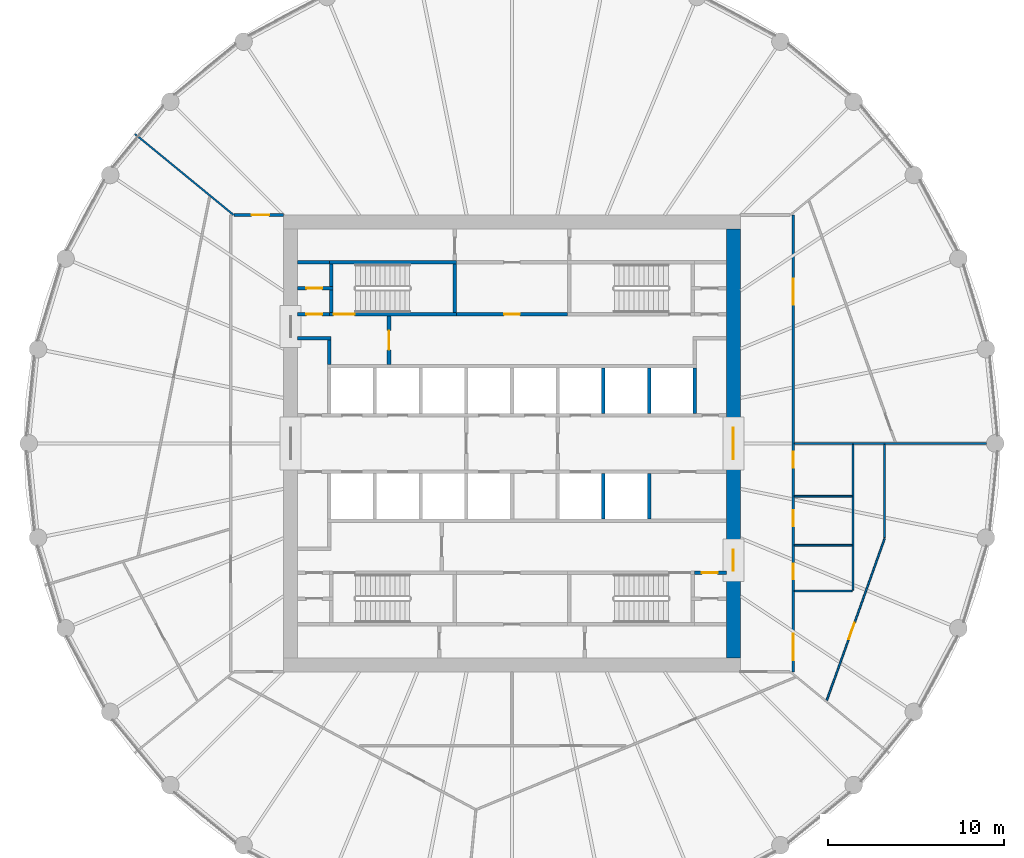
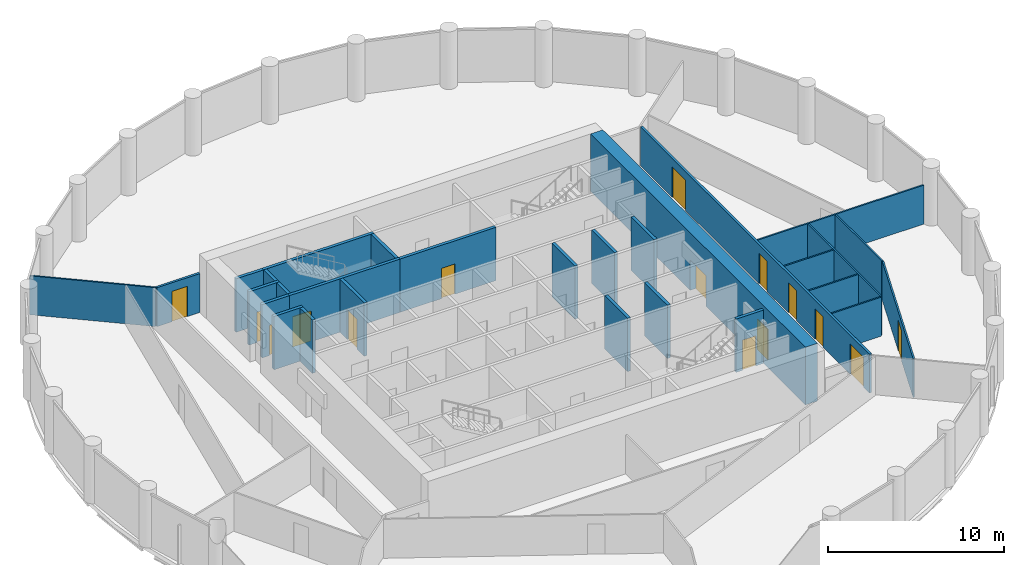
# One storey, part 6 of 8: 29 walls, 15 doors, 15 openings.
"""IFC4 building model written with IfcOpenShell, lengths in metres."""

from ifc_helpers import new_model, si_unit, direction, frame, frame_2d, origin, place, context, subcontext, project, spatial, polyline, rectangle, outline, extrude, material, layer, layer_set, type_object, element, fill, save


model = new_model("IFC4")

# Units and contexts
model_context = context("Model", 3, precision=1e-05, world=origin(), true_north=direction((0.0, 1.0)))
body_context = subcontext(model_context, "Body", "Model", "MODEL_VIEW")
ifc_project = project(units=[si_unit("LENGTHUNIT", "METRE"), si_unit("AREAUNIT", "SQUARE_METRE"), si_unit("VOLUMEUNIT", "CUBIC_METRE"), si_unit("PLANEANGLEUNIT", "RADIAN"), si_unit("MASSUNIT", "GRAM", prefix="KILO")], contexts=[model_context])

# Site, building, storey
site_placement = place(None, origin())
site = spatial("IfcSite", under=ifc_project, at=site_placement, CompositionType="ELEMENT")
building_placement = place(site_placement, origin())
building = spatial("IfcBuilding", under=site, at=building_placement, Name="Corvane Civic Tower", CompositionType="ELEMENT")
storey_placement = place(building_placement, frame((0.0, 0.0, 209.5)))
storey = spatial("IfcBuildingStorey", under=building, at=storey_placement, Name="L49", CompositionType="ELEMENT", Elevation=209.5)

# Wall, openings, doors
ifc_material_1 = material(Name="Concrete C50/60", Category="concrete")
ifc_layer_1 = layer(ifc_material_1, 0.800048828125)
ifc_layer_set_1 = layer_set([ifc_layer_1], Name="Concrete C50/60")
wall_type_1 = type_object("IfcWallType", Name="CORE WALL 800 C50/60", PredefinedType="SHEAR", material=ifc_layer_set_1)
wall_1_placement = place(storey_placement, frame((12.60009765625, -12.199951171875, 0.0), z_axis=(0.0, 0.0, 1.0), x_axis=(0.0, 1.0, 0.0)))
wall_1 = element("IfcWall", 1, at=wall_1_placement, inside=storey, type_object=wall_type_1, Name="W-L49-core-E", PredefinedType="SHEAR", context=body_context, shape_type="SweptSolid", body=[
    extrude(rectangle(XDim=24.39990234375, YDim=0.800048828125, at=frame_2d((12.199951171875, 0.0))), origin(), (0.0, 0.0, 1.0), 4.0),
])
opening_1_placement = place(wall_1_placement, frame((11.300048828125, 0.0, 0.0)))
opening_1 = element("IfcOpeningElement", 2, at=opening_1_placement, cuts=wall_1, Name="Opening L49.C31", PredefinedType="OPENING", context=body_context, shape_type="SweptSolid", body=[
    extrude(rectangle(XDim=1.800048828125, YDim=2.10009765625, at=frame_2d((0.89990234375, 1.050048828125))), frame((0.0, 0.409912109375, 0.0), z_axis=(0.0, -1.0, 0.0), x_axis=(1.0, 0.0, 0.0)), (0.0, 0.0, 1.0), 0.820068359375),
])
opening_2_placement = place(wall_1_placement, frame((4.949951171875, 0.0, 0.0)))
opening_2 = element("IfcOpeningElement", 3, at=opening_2_placement, cuts=wall_1, Name="Opening L49.C33", PredefinedType="OPENING", context=body_context, shape_type="SweptSolid", body=[
    extrude(rectangle(XDim=1.199951171875, YDim=2.10009765625, at=frame_2d((0.60009765625, 1.050048828125))), frame((0.0, 0.409912109375, 0.0), z_axis=(0.0, -1.0, 0.0), x_axis=(1.0, 0.0, 0.0)), (0.0, 0.0, 1.0), 0.820068359375),
])
ifc_material_2 = material(Name="Steel fire door leaf", Category="steel")
door_type_1 = type_object("IfcDoorType", Name="CR-DOOR-CORE-1800", OperationType="DOUBLE_DOOR_SINGLE_SWING", PredefinedType="DOOR", material=ifc_material_2)
door_1_placement = place(opening_1_placement, origin())
door_1 = element("IfcDoor", 4, at=door_1_placement, inside=storey, type_object=door_type_1, Name="L49 door", OperationType="DOUBLE_DOOR_SINGLE_SWING", OverallHeight=2.10009765625, OverallWidth=1.800048828125, PredefinedType="DOOR", context=body_context, shape_type="SweptSolid", body=[
    extrude(rectangle(XDim=1.800048828125, YDim=2.10009765625, at=frame_2d((0.89990234375, 1.050048828125))), frame((0.0, 0.02490234375, 0.0), z_axis=(0.0, -1.0, 0.0), x_axis=(1.0, 0.0, 0.0)), (0.0, 0.0, 1.0), 0.050048828125),
])
fill(opening_1, door_1)
door_2_placement = place(opening_2_placement, origin())
door_2 = element("IfcDoor", 5, at=door_2_placement, inside=storey, type_object=door_type_1, Name="L49 door", OperationType="DOUBLE_DOOR_SINGLE_SWING", OverallHeight=2.10009765625, OverallWidth=1.199951171875, PredefinedType="DOOR", context=body_context, shape_type="SweptSolid", body=[
    extrude(rectangle(XDim=1.199951171875, YDim=2.10009765625, at=frame_2d((0.60009765625, 1.050048828125))), frame((0.0, 0.02490234375, 0.0), z_axis=(0.0, -1.0, 0.0), x_axis=(1.0, 0.0, 0.0)), (0.0, 0.0, 1.0), 0.050048828125),
])
fill(opening_2, door_2)

# Wall, opening, door
ifc_material_3 = material(Name="Concrete C30/37", Category="concrete")
ifc_layer_2 = layer(ifc_material_3, 0.199951171875)
ifc_layer_set_2 = layer_set([ifc_layer_2], Name="Concrete C30/37")
wall_type_2 = type_object("IfcWallType", Name="CR-WALL-200", PredefinedType="PARTITIONING", material=ifc_layer_set_2)
wall_2_placement = place(storey_placement, frame((10.39990234375, -7.35009765625, 0.0), z_axis=(0.0, 0.0, 1.0), x_axis=(1.0, 0.0, 0.0)))
wall_2 = element("IfcWall", 6, at=wall_2_placement, inside=storey, type_object=wall_type_2, Name="L49 core partition wall", PredefinedType="PARTITIONING", context=body_context, shape_type="SweptSolid", body=[
    extrude(rectangle(XDim=1.800048828125, YDim=0.199951171875, at=frame_2d((0.89990234375, 0.0))), origin(), (0.0, 0.0, 1.0), 3.699951171875),
])
opening_3_placement = place(wall_2_placement, frame((0.39990234375, 0.0, 0.0)))
opening_3 = element("IfcOpeningElement", 7, at=opening_3_placement, cuts=wall_2, Name="Opening L49.C20", PredefinedType="OPENING", context=body_context, shape_type="SweptSolid", body=[
    extrude(rectangle(XDim=0.89990234375, YDim=2.10009765625, at=frame_2d((0.449951171875, 1.050048828125))), frame((0.0, 0.10986328125, 0.0), z_axis=(0.0, -1.0, 0.0), x_axis=(1.0, 0.0, 0.0)), (0.0, 0.0, 1.0), 0.219970703125),
])
ifc_material_4 = material(Name="Steel fire door leaf", Category="steel")
door_type_2 = type_object("IfcDoorType", Name="CR-DOOR-900", OperationType="SINGLE_SWING_LEFT", PredefinedType="DOOR", material=ifc_material_4)
door_3_placement = place(opening_3_placement, origin())
door_3 = element("IfcDoor", 8, at=door_3_placement, inside=storey, type_object=door_type_2, Name="L49 door", OperationType="SINGLE_SWING_LEFT", OverallHeight=2.10009765625, OverallWidth=0.89990234375, PredefinedType="DOOR", context=body_context, shape_type="SweptSolid", body=[
    extrude(rectangle(XDim=0.89990234375, YDim=2.10009765625, at=frame_2d((0.449951171875, 1.050048828125))), frame((0.0, 0.02490234375, 0.0), z_axis=(0.0, -1.0, 0.0), x_axis=(1.0, 0.0, 0.0)), (0.0, 0.0, 1.0), 0.050048828125),
])
fill(opening_3, door_3)

wall_3_placement = place(storey_placement, frame((-12.199951171875, 7.35009765625, 0.0), z_axis=(0.0, 0.0, 1.0), x_axis=(1.0, 0.0, 0.0)))
wall_3 = element("IfcWall", 9, at=wall_3_placement, inside=storey, type_object=wall_type_2, Name="L49 core partition wall", PredefinedType="PARTITIONING", context=body_context, shape_type="SweptSolid", body=[
    extrude(rectangle(XDim=1.800048828125, YDim=0.199951171875, at=frame_2d((0.89990234375, 0.0))), origin(), (0.0, 0.0, 1.0), 3.699951171875),
])
opening_4_placement = place(wall_3_placement, frame((0.5, 0.0, 0.0)))
opening_4 = element("IfcOpeningElement", 10, at=opening_4_placement, cuts=wall_3, Name="Opening L49.C14", PredefinedType="OPENING", context=body_context, shape_type="SweptSolid", body=[
    extrude(rectangle(XDim=0.89990234375, YDim=2.10009765625, at=frame_2d((0.449951171875, 1.050048828125))), frame((0.0, 0.10986328125, 0.0), z_axis=(0.0, -1.0, 0.0), x_axis=(1.0, 0.0, 0.0)), (0.0, 0.0, 1.0), 0.219970703125),
])
door_4_placement = place(opening_4_placement, origin())
door_4 = element("IfcDoor", 11, at=door_4_placement, inside=storey, type_object=door_type_2, Name="L49 door", OperationType="SINGLE_SWING_LEFT", OverallHeight=2.10009765625, OverallWidth=0.89990234375, PredefinedType="DOOR", context=body_context, shape_type="SweptSolid", body=[
    extrude(rectangle(XDim=0.89990234375, YDim=2.10009765625, at=frame_2d((0.449951171875, 1.050048828125))), frame((0.0, 0.02490234375, 0.0), z_axis=(0.0, -1.0, 0.0), x_axis=(1.0, 0.0, 0.0)), (0.0, 0.0, 1.0), 0.050048828125),
])
fill(opening_4, door_4)

wall_4_placement = place(storey_placement, frame((-3.14990234375, 7.35009765625, 0.0), z_axis=(0.0, 0.0, 1.0), x_axis=(1.0, 0.0, 0.0)))
wall_4 = element("IfcWall", 12, at=wall_4_placement, inside=storey, type_object=wall_type_2, Name="L49 core partition wall", PredefinedType="PARTITIONING", context=body_context, shape_type="SweptSolid", body=[
    extrude(rectangle(XDim=6.2998046875, YDim=0.199951171875, at=frame_2d((3.14990234375, 0.0))), origin(), (0.0, 0.0, 1.0), 3.699951171875),
])
opening_5_placement = place(wall_4_placement, frame((2.699951171875, 0.0, 0.0)))
opening_5 = element("IfcOpeningElement", 13, at=opening_5_placement, cuts=wall_4, Name="Opening L49.C06", PredefinedType="OPENING", context=body_context, shape_type="SweptSolid", body=[
    extrude(rectangle(XDim=0.89990234375, YDim=2.10009765625, at=frame_2d((0.449951171875, 1.050048828125))), frame((0.0, 0.10986328125, 0.0), z_axis=(0.0, -1.0, 0.0), x_axis=(1.0, 0.0, 0.0)), (0.0, 0.0, 1.0), 0.219970703125),
])
door_5_placement = place(opening_5_placement, origin())
door_5 = element("IfcDoor", 14, at=door_5_placement, inside=storey, type_object=door_type_2, Name="L49 door", OperationType="SINGLE_SWING_LEFT", OverallHeight=2.10009765625, OverallWidth=0.89990234375, PredefinedType="DOOR", context=body_context, shape_type="SweptSolid", body=[
    extrude(rectangle(XDim=0.89990234375, YDim=2.10009765625, at=frame_2d((0.449951171875, 1.050048828125))), frame((0.0, 0.02490234375, 0.0), z_axis=(0.0, -1.0, 0.0), x_axis=(1.0, 0.0, 0.0)), (0.0, 0.0, 1.0), 0.050048828125),
])
fill(opening_5, door_5)

wall_5_placement = place(storey_placement, frame((-12.199951171875, 8.824951171875, 0.0), z_axis=(0.0, 0.0, 1.0), x_axis=(1.0, 0.0, 0.0)))
wall_5 = element("IfcWall", 15, at=wall_5_placement, inside=storey, type_object=wall_type_2, Name="L49 partition wall", PredefinedType="PARTITIONING", context=body_context, shape_type="SweptSolid", body=[
    extrude(rectangle(XDim=2.0, YDim=0.199951171875, at=frame_2d((1.0, 0.0))), origin(), (0.0, 0.0, 1.0), 3.699951171875),
])
opening_6_placement = place(wall_5_placement, frame((0.5, 0.0, 0.0)))
opening_6 = element("IfcOpeningElement", 16, at=opening_6_placement, cuts=wall_5, Name="Opening L49.C15", PredefinedType="OPENING", context=body_context, shape_type="SweptSolid", body=[
    extrude(rectangle(XDim=0.89990234375, YDim=2.10009765625, at=frame_2d((0.449951171875, 1.050048828125))), frame((0.0, 0.10986328125, 0.0), z_axis=(0.0, -1.0, 0.0), x_axis=(1.0, 0.0, 0.0)), (0.0, 0.0, 1.0), 0.219970703125),
])
door_6_placement = place(opening_6_placement, origin())
door_6 = element("IfcDoor", 17, at=door_6_placement, inside=storey, type_object=door_type_2, Name="L49 door", OperationType="SINGLE_SWING_LEFT", OverallHeight=2.10009765625, OverallWidth=0.89990234375, PredefinedType="DOOR", context=body_context, shape_type="SweptSolid", body=[
    extrude(rectangle(XDim=0.89990234375, YDim=2.10009765625, at=frame_2d((0.449951171875, 1.050048828125))), frame((0.0, 0.02490234375, 0.0), z_axis=(0.0, -1.0, 0.0), x_axis=(1.0, 0.0, 0.0)), (0.0, 0.0, 1.0), 0.050048828125),
])
fill(opening_6, door_6)

wall_6_placement = place(storey_placement, frame((-7.0, 4.5, 0.0), z_axis=(0.0, 0.0, 1.0), x_axis=(0.0, 1.0, 0.0)))
wall_6 = element("IfcWall", 18, at=wall_6_placement, inside=storey, type_object=wall_type_2, Name="L49 core partition wall", PredefinedType="PARTITIONING", context=body_context, shape_type="SweptSolid", body=[
    extrude(rectangle(XDim=2.75, YDim=0.199951171875, at=frame_2d((1.375, 0.0))), origin(), (0.0, 0.0, 1.0), 3.699951171875),
])
opening_7_placement = place(wall_6_placement, frame((0.824951171875, 0.0, 0.0)))
opening_7 = element("IfcOpeningElement", 19, at=opening_7_placement, cuts=wall_6, Name="Opening L49.C28", PredefinedType="OPENING", context=body_context, shape_type="SweptSolid", body=[
    extrude(rectangle(XDim=1.10009765625, YDim=2.10009765625, at=frame_2d((0.550048828125, 1.050048828125))), frame((0.0, 0.10986328125, 0.0), z_axis=(0.0, -1.0, 0.0), x_axis=(1.0, 0.0, 0.0)), (0.0, 0.0, 1.0), 0.219970703125),
])
ifc_material_5 = material(Name="Steel fire door leaf", Category="steel")
door_type_3 = type_object("IfcDoorType", Name="CR-DOOR-FFL-1100", OperationType="SINGLE_SWING_LEFT", PredefinedType="DOOR", material=ifc_material_5)
door_7_placement = place(opening_7_placement, origin())
door_7 = element("IfcDoor", 20, at=door_7_placement, inside=storey, type_object=door_type_3, Name="L49 lobby door", OperationType="SINGLE_SWING_LEFT", OverallHeight=2.10009765625, OverallWidth=1.10009765625, PredefinedType="DOOR", context=body_context, shape_type="SweptSolid", body=[
    extrude(rectangle(XDim=1.10009765625, YDim=2.10009765625, at=frame_2d((0.550048828125, 1.050048828125))), frame((0.0, 0.02490234375, 0.0), z_axis=(0.0, -1.0, 0.0), x_axis=(1.0, 0.0, 0.0)), (0.0, 0.0, 1.0), 0.050048828125),
])
fill(opening_7, door_7)

# Walls
wall_7_placement = place(storey_placement, origin())
element("IfcWall", 21, at=wall_7_placement, inside=storey, type_object=wall_type_2, Name="L49 core partition wall", PredefinedType="PARTITIONING", context=body_context, shape_type="SweptSolid", body=[
    extrude(outline(polyline([(5.300048828125, -1.699951171875), (5.300048828125, -4.2998046875), (5.10009765625, -4.2998046875), (5.10009765625, -1.699951171875), (5.300048828125, -1.699951171875)])), origin(), (0.0, 0.0, 1.0), 3.699951171875),
])
wall_8_placement = place(storey_placement, origin())
element("IfcWall", 22, at=wall_8_placement, inside=storey, type_object=wall_type_2, Name="L49 core partition wall", PredefinedType="PARTITIONING", context=body_context, shape_type="SweptSolid", body=[
    extrude(outline(polyline([(7.89990234375, -1.699951171875), (7.89990234375, -4.2998046875), (7.699951171875, -4.2998046875), (7.699951171875, -1.699951171875), (7.89990234375, -1.699951171875)])), origin(), (0.0, 0.0, 1.0), 3.699951171875),
])
wall_9_placement = place(storey_placement, origin())
element("IfcWall", 23, at=wall_9_placement, inside=storey, type_object=wall_type_2, Name="L49 core partition wall", PredefinedType="PARTITIONING", context=body_context, shape_type="SweptSolid", body=[
    extrude(outline(polyline([(5.300048828125, 1.699951171875), (5.10009765625, 1.699951171875), (5.10009765625, 4.2998046875), (5.300048828125, 4.2998046875), (5.300048828125, 1.699951171875)])), origin(), (0.0, 0.0, 1.0), 3.699951171875),
])
wall_10_placement = place(storey_placement, origin())
element("IfcWall", 24, at=wall_10_placement, inside=storey, type_object=wall_type_2, Name="L49 core partition wall", PredefinedType="PARTITIONING", context=body_context, shape_type="SweptSolid", body=[
    extrude(outline(polyline([(7.89990234375, 1.699951171875), (7.699951171875, 1.699951171875), (7.699951171875, 4.2998046875), (7.89990234375, 4.2998046875), (7.89990234375, 1.699951171875)])), origin(), (0.0, 0.0, 1.0), 3.699951171875),
])
wall_11_placement = place(storey_placement, origin())
element("IfcWall", 25, at=wall_11_placement, inside=storey, type_object=wall_type_2, Name="L49 core partition wall", PredefinedType="PARTITIONING", context=body_context, shape_type="SweptSolid", body=[
    extrude(outline(polyline([(10.5, 1.699951171875), (10.300048828125, 1.699951171875), (10.300048828125, 4.2998046875), (10.5, 4.2998046875), (10.5, 1.699951171875)])), origin(), (0.0, 0.0, 1.0), 3.699951171875),
])
wall_12_placement = place(storey_placement, origin())
element("IfcWall", 26, at=wall_12_placement, inside=storey, type_object=wall_type_2, Name="L49 core partition wall", PredefinedType="PARTITIONING", context=body_context, shape_type="SweptSolid", body=[
    extrude(outline(polyline([(-10.300048828125, 5.89990234375), (-12.199951171875, 5.89990234375), (-12.199951171875, 6.10009765625), (-10.300048828125, 6.10009765625), (-10.300048828125, 5.89990234375)])), origin(), (0.0, 0.0, 1.0), 3.699951171875),
])
wall_13_placement = place(storey_placement, origin())
element("IfcWall", 27, at=wall_13_placement, inside=storey, type_object=wall_type_2, Name="L49 core partition wall", PredefinedType="PARTITIONING", context=body_context, shape_type="SweptSolid", body=[
    extrude(outline(polyline([(-10.300048828125, 4.5), (-10.5, 4.5), (-10.5, 5.89990234375), (-10.300048828125, 5.89990234375), (-10.300048828125, 4.5)])), origin(), (0.0, 0.0, 1.0), 3.699951171875),
])
wall_14_placement = place(storey_placement, origin())
element("IfcWall", 28, at=wall_14_placement, inside=storey, type_object=wall_type_2, Name="L49 core partition wall", PredefinedType="PARTITIONING", context=body_context, shape_type="SweptSolid", body=[
    extrude(outline(polyline([(-12.199951171875, 10.199951171875), (-12.199951171875, 10.39990234375), (-10.39990234375, 10.39990234375), (-10.39990234375, 10.199951171875), (-12.199951171875, 10.199951171875)])), origin(), (0.0, 0.0, 1.0), 3.699951171875),
])

# Wall, opening, door
ifc_material_6 = material(Name="Plasterboard")
ifc_layer_3 = layer(ifc_material_6, 0.10009765625)
ifc_layer_set_3 = layer_set([ifc_layer_3], Name="Plasterboard")
wall_type_3 = type_object("IfcWallType", Name="Partition 100 plasterboard on studs", PredefinedType="PARTITIONING", material=ifc_layer_set_3)
wall_15_placement = place(storey_placement, frame((17.9150390625, -14.615966796875, 0.0), z_axis=(0.0, 0.0, 1.0), x_axis=(0.336883952747, 0.941546176447, 0.0)))
wall_15 = element("IfcWall", 29, at=wall_15_placement, inside=storey, type_object=wall_type_3, Name="Partition L49.009", PredefinedType="PARTITIONING", context=body_context, shape_type="SweptSolid", body=[
    extrude(rectangle(XDim=9.77197265625, YDim=0.10009765625, at=frame_2d((4.885986328125, 0.0))), origin(), (0.0, 0.0, 1.0), 2.699951171875),
])
opening_8_placement = place(wall_15_placement, frame((3.68212890625, 0.0, 0.0)))
opening_8 = element("IfcOpeningElement", 30, at=opening_8_placement, cuts=wall_15, Name="Opening L49.009", PredefinedType="OPENING", context=body_context, shape_type="SweptSolid", body=[
    extrude(rectangle(XDim=1.0, YDim=2.10009765625, at=frame_2d((0.5, 1.050048828125))), frame((0.0, 0.06005859375, 0.0), z_axis=(0.0, -1.0, 0.0), x_axis=(1.0, 0.0, 0.0)), (0.0, 0.0, 1.0), 0.1201171875),
])
ifc_material_7 = material(Name="Timber", Category="wood")
door_type_4 = type_object("IfcDoorType", Name="Single door 1000", OperationType="NOTDEFINED", PredefinedType="DOOR", material=ifc_material_7)
door_8_placement = place(opening_8_placement, frame((1.0, 0.0, 0.0), z_axis=(0.0, 0.0, 1.0), x_axis=(-1.0, 0.0, 0.0)))
door_8 = element("IfcDoor", 31, at=door_8_placement, inside=storey, type_object=door_type_4, Name="Door L49.009", OperationType="SINGLE_SWING_LEFT", OverallHeight=2.10009765625, OverallWidth=1.0, PredefinedType="DOOR", context=body_context, shape_type="SweptSolid", body=[
    extrude(rectangle(XDim=1.0, YDim=2.10009765625, at=frame_2d((0.5, 1.050048828125))), frame((0.0, 0.02490234375, 0.0), z_axis=(0.0, -1.0, 0.0), x_axis=(1.0, 0.0, 0.0)), (0.0, 0.0, 1.0), 0.050048828125),
])
fill(opening_8, door_8)

# Walls
wall_16_placement = place(storey_placement, frame((16.074951171875, -8.39990234375, 0.0), z_axis=(0.0, 0.0, 1.0), x_axis=(1.0, 0.0, 0.0)))
element("IfcWall", 32, at=wall_16_placement, inside=storey, type_object=wall_type_3, Name="Partition L49.014", PredefinedType="PARTITIONING", context=body_context, shape_type="SweptSolid", body=[
    extrude(rectangle(XDim=3.275146484375, YDim=0.10009765625, at=frame_2d((1.6376953125, 0.0))), origin(), (0.0, 0.0, 1.0), 2.699951171875),
])
wall_17_placement = place(storey_placement, frame((19.39990234375, -8.35009765625, 0.0), z_axis=(0.0, 0.0, 1.0), x_axis=(0.0, 1.0, 0.0)))
element("IfcWall", 33, at=wall_17_placement, inside=storey, type_object=wall_type_3, Name="Partition L49.015", PredefinedType="PARTITIONING", context=body_context, shape_type="SweptSolid", body=[
    extrude(rectangle(XDim=8.300048828125, YDim=0.10009765625, at=frame_2d((4.14990234375, 0.0))), origin(), (0.0, 0.0, 1.0), 2.699951171875),
])
wall_18_placement = place(storey_placement, frame((16.074951171875, -5.800048828125, 0.0), z_axis=(0.0, 0.0, 1.0), x_axis=(1.0, 0.0, 0.0)))
element("IfcWall", 34, at=wall_18_placement, inside=storey, type_object=wall_type_3, Name="Partition L49.018", PredefinedType="PARTITIONING", context=body_context, shape_type="SweptSolid", body=[
    extrude(rectangle(XDim=3.275146484375, YDim=0.10009765625, at=frame_2d((1.6376953125, 0.0))), origin(), (0.0, 0.0, 1.0), 2.699951171875),
])
wall_19_placement = place(storey_placement, frame((21.199951171875, -5.36279296875, 0.0), z_axis=(0.0, 0.0, 1.0), x_axis=(0.0, 1.0, 0.0)))
element("IfcWall", 35, at=wall_19_placement, inside=storey, type_object=wall_type_3, Name="Partition L49.019", PredefinedType="PARTITIONING", context=body_context, shape_type="SweptSolid", body=[
    extrude(rectangle(XDim=5.312744140625, YDim=0.10009765625, at=frame_2d((2.65625, 0.0))), origin(), (0.0, 0.0, 1.0), 2.699951171875),
])
wall_20_placement = place(storey_placement, frame((16.074951171875, -3.0, 0.0), z_axis=(0.0, 0.0, 1.0), x_axis=(1.0, 0.0, 0.0)))
element("IfcWall", 36, at=wall_20_placement, inside=storey, type_object=wall_type_3, Name="Partition L49.020", PredefinedType="PARTITIONING", context=body_context, shape_type="SweptSolid", body=[
    extrude(rectangle(XDim=3.275146484375, YDim=0.10009765625, at=frame_2d((1.6376953125, 0.0))), origin(), (0.0, 0.0, 1.0), 2.699951171875),
])
wall_21_placement = place(storey_placement, frame((16.074951171875, 0.0, 0.0), z_axis=(0.0, 0.0, 1.0), x_axis=(1.0, 0.0, 0.0)))
element("IfcWall", 37, at=wall_21_placement, inside=storey, type_object=wall_type_3, Name="Partition L49.021", PredefinedType="PARTITIONING", context=body_context, shape_type="SweptSolid", body=[
    extrude(rectangle(XDim=10.9150390625, YDim=0.10009765625, at=frame_2d((5.45751953125, 0.0))), origin(), (0.0, 0.0, 1.0), 2.699951171875),
])
wall_22_placement = place(storey_placement, frame((-21.451171875, 17.6044921875, 0.0), z_axis=(0.0, 0.0, 1.0), x_axis=(0.773014432023, -0.634388436121, 0.0)))
element("IfcWall", 38, at=wall_22_placement, inside=storey, type_object=wall_type_3, Name="Partition L49.025", PredefinedType="PARTITIONING", context=body_context, shape_type="SweptSolid", body=[
    extrude(rectangle(XDim=7.239990234375, YDim=0.10009765625, at=frame_2d((3.6201171875, 0.0))), origin(), (0.0, 0.0, 1.0), 2.699951171875),
])

# Wall, opening, door
ifc_material_8 = material(Name="Concrete C50/60", Category="concrete")
ifc_layer_4 = layer(ifc_material_8, 0.199951171875)
ifc_layer_set_4 = layer_set([ifc_layer_4], Name="Concrete C50/60")
wall_type_4 = type_object("IfcWallType", Name="ST-WALL-200", PredefinedType="SHEAR", material=ifc_layer_set_4)
wall_23_placement = place(storey_placement, frame((-10.39990234375, 7.35009765625, 0.0), z_axis=(0.0, 0.0, 1.0), x_axis=(1.0, 0.0, 0.0)))
wall_23 = element("IfcWall", 39, at=wall_23_placement, inside=storey, type_object=wall_type_4, Name="L49 stair enclosure wall", PredefinedType="SHEAR", context=body_context, shape_type="SweptSolid", body=[
    extrude(rectangle(XDim=7.25, YDim=0.199951171875, at=frame_2d((3.625, 0.0))), origin(), (0.0, 0.0, 1.0), 3.699951171875),
])
opening_9_placement = place(wall_23_placement, frame((0.25, 0.0, 0.0)))
opening_9 = element("IfcOpeningElement", 40, at=opening_9_placement, cuts=wall_23, Name="Opening L49.C23", PredefinedType="OPENING", context=body_context, shape_type="SweptSolid", body=[
    extrude(rectangle(XDim=1.199951171875, YDim=2.10009765625, at=frame_2d((0.60009765625, 1.050048828125))), frame((0.0, 0.10986328125, 0.0), z_axis=(0.0, -1.0, 0.0), x_axis=(1.0, 0.0, 0.0)), (0.0, 0.0, 1.0), 0.219970703125),
])
ifc_material_9 = material(Name="Steel fire door leaf", Category="steel")
door_type_5 = type_object("IfcDoorType", Name="ST-DOOR-1200", OperationType="SINGLE_SWING_RIGHT", PredefinedType="DOOR", material=ifc_material_9)
door_9_placement = place(opening_9_placement, origin())
door_9 = element("IfcDoor", 41, at=door_9_placement, inside=storey, type_object=door_type_5, Name="L49 stair door", OperationType="SINGLE_SWING_RIGHT", OverallHeight=2.10009765625, OverallWidth=1.199951171875, PredefinedType="DOOR", context=body_context, shape_type="SweptSolid", body=[
    extrude(rectangle(XDim=1.199951171875, YDim=2.10009765625, at=frame_2d((0.60009765625, 1.050048828125))), frame((0.0, 0.02490234375, 0.0), z_axis=(0.0, -1.0, 0.0), x_axis=(1.0, 0.0, 0.0)), (0.0, 0.0, 1.0), 0.050048828125),
])
fill(opening_9, door_9)

# Walls
wall_24_placement = place(storey_placement, origin())
element("IfcWall", 42, at=wall_24_placement, inside=storey, type_object=wall_type_4, Name="L49 stair enclosure wall", PredefinedType="SHEAR", context=body_context, shape_type="SweptSolid", body=[
    extrude(outline(polyline([(-3.14990234375, 10.199951171875), (-10.39990234375, 10.199951171875), (-10.39990234375, 10.39990234375), (-3.14990234375, 10.39990234375), (-3.14990234375, 10.199951171875)])), origin(), (0.0, 0.0, 1.0), 3.699951171875),
])
wall_25_placement = place(storey_placement, origin())
element("IfcWall", 43, at=wall_25_placement, inside=storey, type_object=wall_type_4, Name="L49 stair enclosure wall", PredefinedType="SHEAR", context=body_context, shape_type="SweptSolid", body=[
    extrude(outline(polyline([(-3.14990234375, 7.449951171875), (-3.35009765625, 7.449951171875), (-3.35009765625, 10.199951171875), (-3.14990234375, 10.199951171875), (-3.14990234375, 7.449951171875)])), origin(), (0.0, 0.0, 1.0), 3.699951171875),
])
wall_26_placement = place(storey_placement, origin())
element("IfcWall", 44, at=wall_26_placement, inside=storey, type_object=wall_type_4, Name="L49 stair enclosure wall", PredefinedType="SHEAR", context=body_context, shape_type="SweptSolid", body=[
    extrude(outline(polyline([(-10.199951171875, 8.72509765625), (-10.199951171875, 7.449951171875), (-10.39990234375, 7.449951171875), (-10.39990234375, 8.72509765625), (-10.199951171875, 8.72509765625)])), origin(), (0.0, 0.0, 1.0), 3.699951171875),
])
wall_27_placement = place(storey_placement, origin())
element("IfcWall", 45, at=wall_27_placement, inside=storey, type_object=wall_type_4, Name="L49 stair enclosure wall", PredefinedType="SHEAR", context=body_context, shape_type="SweptSolid", body=[
    extrude(outline(polyline([(-10.199951171875, 8.925048828125), (-10.39990234375, 8.925048828125), (-10.39990234375, 10.199951171875), (-10.199951171875, 10.199951171875), (-10.199951171875, 8.925048828125)])), origin(), (0.0, 0.0, 1.0), 3.699951171875),
])

# Wall, openings, doors
ifc_material_10 = material(Name="Plasterboard")
ifc_layer_5 = layer(ifc_material_10, 0.14990234375)
ifc_layer_set_5 = layer_set([ifc_layer_5], Name="Plasterboard")
wall_type_5 = type_object("IfcWallType", Name="Tenancy wall 150 EI 60", PredefinedType="PARTITIONING", material=ifc_layer_set_5)
wall_28_placement = place(storey_placement, frame((16.0, -13.0, 0.0), z_axis=(0.0, 0.0, 1.0), x_axis=(0.0, 1.0, 0.0)))
wall_28 = element("IfcWall", 46, at=wall_28_placement, inside=storey, type_object=wall_type_5, Name="Partition L49.013", PredefinedType="PARTITIONING", context=body_context, shape_type="SweptSolid", body=[
    extrude(rectangle(XDim=26.0, YDim=0.14990234375, at=frame_2d((13.0, 0.0))), origin(), (0.0, 0.0, 1.0), 2.699951171875),
])
opening_10_placement = place(wall_28_placement, frame((20.885986328125, 0.0, 0.0)))
opening_10 = element("IfcOpeningElement", 47, at=opening_10_placement, cuts=wall_28, Name="Opening L49.008", PredefinedType="OPENING", context=body_context, shape_type="SweptSolid", body=[
    extrude(rectangle(XDim=1.5, YDim=2.10009765625, at=frame_2d((0.75, 1.050048828125))), frame((0.0, 0.0849609375, 0.0), z_axis=(0.0, -1.0, 0.0), x_axis=(1.0, 0.0, 0.0)), (0.0, 0.0, 1.0), 0.169921875),
])
opening_11_placement = place(wall_28_placement, frame((0.673828125, 0.0, 0.0)))
opening_11 = element("IfcOpeningElement", 48, at=opening_11_placement, cuts=wall_28, Name="Opening L49.010", PredefinedType="OPENING", context=body_context, shape_type="SweptSolid", body=[
    extrude(rectangle(XDim=1.5, YDim=2.10009765625, at=frame_2d((0.75, 1.050048828125))), frame((0.0, 0.0849609375, 0.0), z_axis=(0.0, -1.0, 0.0), x_axis=(1.0, 0.0, 0.0)), (0.0, 0.0, 1.0), 0.169921875),
])
opening_12_placement = place(wall_28_placement, frame((11.62451171875, 0.0, 0.0)))
opening_12 = element("IfcOpeningElement", 49, at=opening_12_placement, cuts=wall_28, Name="Opening L49.011", PredefinedType="OPENING", context=body_context, shape_type="SweptSolid", body=[
    extrude(rectangle(XDim=0.89990234375, YDim=2.10009765625, at=frame_2d((0.449951171875, 1.050048828125))), frame((0.0, 0.0849609375, 0.0), z_axis=(0.0, -1.0, 0.0), x_axis=(1.0, 0.0, 0.0)), (0.0, 0.0, 1.0), 0.169921875),
])
opening_13_placement = place(wall_28_placement, frame((8.291259765625, 0.0, 0.0)))
opening_13 = element("IfcOpeningElement", 50, at=opening_13_placement, cuts=wall_28, Name="Opening L49.012", PredefinedType="OPENING", context=body_context, shape_type="SweptSolid", body=[
    extrude(rectangle(XDim=0.89990234375, YDim=2.10009765625, at=frame_2d((0.449951171875, 1.050048828125))), frame((0.0, 0.0849609375, 0.0), z_axis=(0.0, -1.0, 0.0), x_axis=(1.0, 0.0, 0.0)), (0.0, 0.0, 1.0), 0.169921875),
])
opening_14_placement = place(wall_28_placement, frame((5.266357421875, 0.0, 0.0)))
opening_14 = element("IfcOpeningElement", 51, at=opening_14_placement, cuts=wall_28, Name="Opening L49.013", PredefinedType="OPENING", context=body_context, shape_type="SweptSolid", body=[
    extrude(rectangle(XDim=0.89990234375, YDim=2.10009765625, at=frame_2d((0.449951171875, 1.050048828125))), frame((0.0, 0.0849609375, 0.0), z_axis=(0.0, -1.0, 0.0), x_axis=(1.0, 0.0, 0.0)), (0.0, 0.0, 1.0), 0.169921875),
])
ifc_material_11 = material(Name="Steel and timber", Category="steel")
door_type_6 = type_object("IfcDoorType", Name="Fire door FD30S 900", OperationType="NOTDEFINED", PredefinedType="DOOR", material=ifc_material_11)
door_10_placement = place(opening_12_placement, frame((0.89990234375, 0.0, 0.0), z_axis=(0.0, 0.0, 1.0), x_axis=(-1.0, 0.0, 0.0)))
door_10 = element("IfcDoor", 52, at=door_10_placement, inside=storey, type_object=door_type_6, Name="Door L49.011", OperationType="SINGLE_SWING_LEFT", OverallHeight=2.10009765625, OverallWidth=0.89990234375, PredefinedType="DOOR", context=body_context, shape_type="SweptSolid", body=[
    extrude(rectangle(XDim=0.89990234375, YDim=2.10009765625, at=frame_2d((0.449951171875, 1.050048828125))), frame((0.0, 0.02490234375, 0.0), z_axis=(0.0, -1.0, 0.0), x_axis=(1.0, 0.0, 0.0)), (0.0, 0.0, 1.0), 0.050048828125),
])
fill(opening_12, door_10)
door_11_placement = place(opening_13_placement, frame((0.89990234375, 0.0, 0.0), z_axis=(0.0, 0.0, 1.0), x_axis=(-1.0, 0.0, 0.0)))
door_11 = element("IfcDoor", 53, at=door_11_placement, inside=storey, type_object=door_type_6, Name="Door L49.012", OperationType="SINGLE_SWING_LEFT", OverallHeight=2.10009765625, OverallWidth=0.89990234375, PredefinedType="DOOR", context=body_context, shape_type="SweptSolid", body=[
    extrude(rectangle(XDim=0.89990234375, YDim=2.10009765625, at=frame_2d((0.449951171875, 1.050048828125))), frame((0.0, 0.02490234375, 0.0), z_axis=(0.0, -1.0, 0.0), x_axis=(1.0, 0.0, 0.0)), (0.0, 0.0, 1.0), 0.050048828125),
])
fill(opening_13, door_11)
door_12_placement = place(opening_14_placement, frame((0.89990234375, 0.0, 0.0), z_axis=(0.0, 0.0, 1.0), x_axis=(-1.0, 0.0, 0.0)))
door_12 = element("IfcDoor", 54, at=door_12_placement, inside=storey, type_object=door_type_6, Name="Door L49.013", OperationType="SINGLE_SWING_RIGHT", OverallHeight=2.10009765625, OverallWidth=0.89990234375, PredefinedType="DOOR", context=body_context, shape_type="SweptSolid", body=[
    extrude(rectangle(XDim=0.89990234375, YDim=2.10009765625, at=frame_2d((0.449951171875, 1.050048828125))), frame((0.0, 0.02490234375, 0.0), z_axis=(0.0, -1.0, 0.0), x_axis=(1.0, 0.0, 0.0)), (0.0, 0.0, 1.0), 0.050048828125),
])
fill(opening_14, door_12)
ifc_material_12 = material(Name="Steel and timber", Category="steel")
door_type_7 = type_object("IfcDoorType", Name="Fire door FD60 double 1500", OperationType="NOTDEFINED", PredefinedType="DOOR", material=ifc_material_12)
door_13_placement = place(opening_10_placement, frame((1.5, 0.0, 0.0), z_axis=(0.0, 0.0, 1.0), x_axis=(-1.0, 0.0, 0.0)))
door_13 = element("IfcDoor", 55, at=door_13_placement, inside=storey, type_object=door_type_7, Name="Door L49.008", OperationType="DOUBLE_DOOR_SINGLE_SWING", OverallHeight=2.10009765625, OverallWidth=1.5, PredefinedType="DOOR", context=body_context, shape_type="SweptSolid", body=[
    extrude(rectangle(XDim=1.5, YDim=2.10009765625, at=frame_2d((0.75, 1.050048828125))), frame((0.0, 0.02490234375, 0.0), z_axis=(0.0, -1.0, 0.0), x_axis=(1.0, 0.0, 0.0)), (0.0, 0.0, 1.0), 0.050048828125),
])
fill(opening_10, door_13)
door_14_placement = place(opening_11_placement, frame((1.5, 0.0, 0.0), z_axis=(0.0, 0.0, 1.0), x_axis=(-1.0, 0.0, 0.0)))
door_14 = element("IfcDoor", 56, at=door_14_placement, inside=storey, type_object=door_type_7, Name="Door L49.010", OperationType="DOUBLE_DOOR_SINGLE_SWING", OverallHeight=2.10009765625, OverallWidth=1.5, PredefinedType="DOOR", context=body_context, shape_type="SweptSolid", body=[
    extrude(rectangle(XDim=1.5, YDim=2.10009765625, at=frame_2d((0.75, 1.050048828125))), frame((0.0, 0.02490234375, 0.0), z_axis=(0.0, -1.0, 0.0), x_axis=(1.0, 0.0, 0.0)), (0.0, 0.0, 1.0), 0.050048828125),
])
fill(opening_11, door_14)

# Wall, opening, door
wall_29_placement = place(storey_placement, frame((-15.813720703125, 13.0, 0.0), z_axis=(0.0, 0.0, 1.0), x_axis=(1.0, 0.0, 0.0)))
wall_29 = element("IfcWall", 57, at=wall_29_placement, inside=storey, type_object=wall_type_5, Name="Partition L49.023", PredefinedType="PARTITIONING", context=body_context, shape_type="SweptSolid", body=[
    extrude(rectangle(XDim=2.82373046875, YDim=0.14990234375, at=frame_2d((1.411865234375, 0.0))), origin(), (0.0, 0.0, 1.0), 2.699951171875),
])
opening_15_placement = place(wall_29_placement, frame((0.99609375, 0.0, 0.0)))
opening_15 = element("IfcOpeningElement", 58, at=opening_15_placement, cuts=wall_29, Name="Opening L49.001", PredefinedType="OPENING", context=body_context, shape_type="SweptSolid", body=[
    extrude(rectangle(XDim=1.0, YDim=2.10009765625, at=frame_2d((0.5, 1.050048828125))), frame((0.0, 0.0849609375, 0.0), z_axis=(0.0, -1.0, 0.0), x_axis=(1.0, 0.0, 0.0)), (0.0, 0.0, 1.0), 0.169921875),
])
ifc_material_13 = material(Name="Steel and timber", Category="steel")
door_type_8 = type_object("IfcDoorType", Name="Fire door FD30S 1000", OperationType="NOTDEFINED", PredefinedType="DOOR", material=ifc_material_13)
door_15_placement = place(opening_15_placement, origin())
door_15 = element("IfcDoor", 59, at=door_15_placement, inside=storey, type_object=door_type_8, Name="Door L49.001", OperationType="SINGLE_SWING_RIGHT", OverallHeight=2.10009765625, OverallWidth=1.0, PredefinedType="DOOR", context=body_context, shape_type="SweptSolid", body=[
    extrude(rectangle(XDim=1.0, YDim=2.10009765625, at=frame_2d((0.5, 1.050048828125))), frame((0.0, 0.02490234375, 0.0), z_axis=(0.0, -1.0, 0.0), x_axis=(1.0, 0.0, 0.0)), (0.0, 0.0, 1.0), 0.050048828125),
])
fill(opening_15, door_15)

save(model, "model.ifc")
